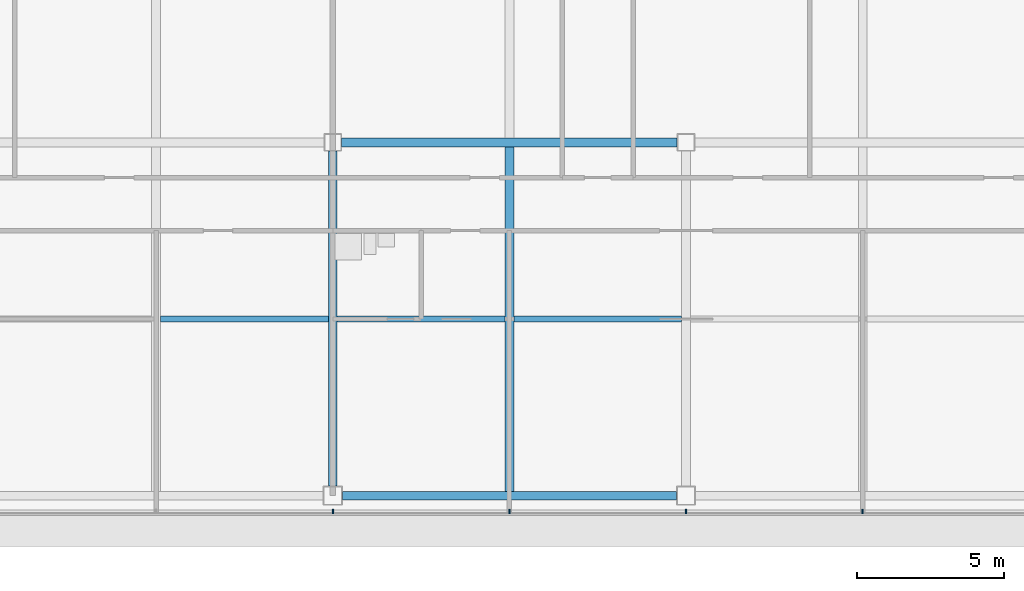
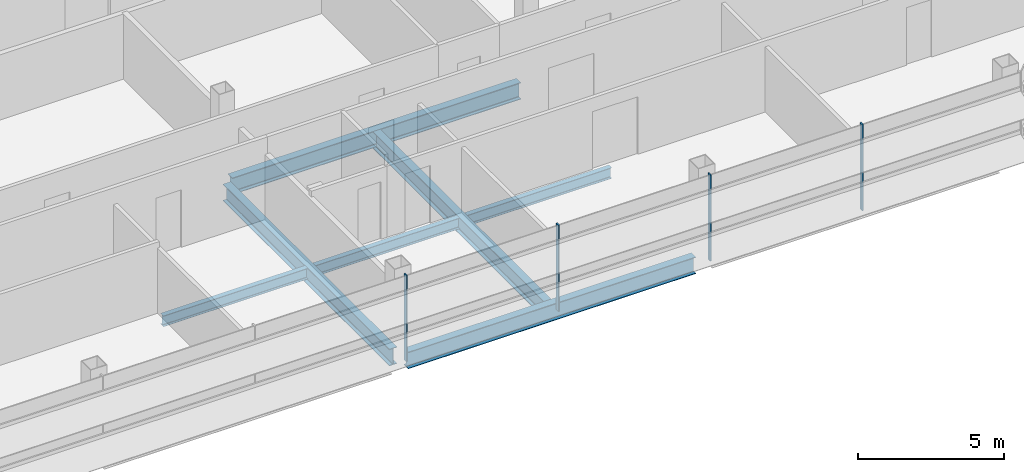
# One storey, part 8 of 26: 7 beams, 4 members, 1 element without a shape of its own.
"""IFC4 building model written with IfcOpenShell, lengths in metres."""

from ifc_helpers import new_model, si_unit, direction, frame, origin, origin_2d, place, context, subcontext, project, spatial, rectangle, i_section, extrude, material, material_profile, profile_set, type_object, element, aggregate, save


model = new_model("IFC4")

# Units and contexts
model_context = context("Model", 3, precision=1e-05, world=origin(), true_north=direction((0.0, 1.0)))
body_context = subcontext(model_context, "Body", "Model", "MODEL_VIEW")
ifc_project = project(units=[si_unit("LENGTHUNIT", "METRE"), si_unit("AREAUNIT", "SQUARE_METRE"), si_unit("VOLUMEUNIT", "CUBIC_METRE"), si_unit("PLANEANGLEUNIT", "RADIAN"), si_unit("MASSUNIT", "GRAM", prefix="KILO")], contexts=[model_context])

# Site, building, storey
site_placement = place(None, origin())
site = spatial("IfcSite", under=ifc_project, at=site_placement, CompositionType="ELEMENT")
building_placement = place(site_placement, origin())
building = spatial("IfcBuilding", under=site, at=building_placement, Name="Sorahane Residences", CompositionType="ELEMENT")
storey_placement = place(building_placement, frame((0.0, 0.0, 215.39990234375)))
storey = spatial("IfcBuildingStorey", under=building, at=storey_placement, Name="L50", CompositionType="ELEMENT", Elevation=215.39990234375)

# Curtain wall, members
ifc_material_1 = material(Name="Dark low-e glass and black anodised aluminium", Category="aluminium")
curtain_wall_type = type_object("IfcCurtainWallType", Name="Curtain wall CW-1 Typical unitised wall", PredefinedType="NOTDEFINED", material=ifc_material_1)
curtain_wall_placement = place(storey_placement, origin())
curtain_wall = element("IfcCurtainWall", 1, at=curtain_wall_placement, inside=storey, type_object=curtain_wall_type, Name="CW-1 curtain wall L50 S1", PredefinedType="NOTDEFINED")
ifc_material_2 = material(Name="Black anodised aluminium", Category="aluminium")
ifc_material_profile_1 = material_profile(ifc_material_2, rectangle(XDim=0.159912109375, YDim=0.050048828125, at=origin_2d()), Name="Curtain wall mullion CW-1 black anodised aluminium 50x160")
ifc_profile_set_1 = profile_set([ifc_material_profile_1], Name="Black anodised aluminium")
member_type = type_object("IfcMemberType", Name="Curtain wall mullion CW-1 black anodised aluminium 50x160", PredefinedType="MULLION", material=ifc_profile_set_1)
member_1_placement = place(storey_placement, frame((24.0, -0.5400390625, -0.179931640625), z_axis=(0.0, 0.0, 1.0), x_axis=(0.0, -1.0, 0.0)))
member_1 = element("IfcMember", 2, at=member_1_placement, type_object=member_type, Name="CW-1 mullion L50 S1.6", PredefinedType="MULLION", context=body_context, shape_type="SweptSolid", body=[
    extrude(rectangle(XDim=0.159912109375, YDim=0.050048828125, at=origin_2d()), origin(), (0.0, 0.0, 1.0), 3.60009765625),
])
member_2_placement = place(storey_placement, frame((30.0, -0.5400390625, -0.179931640625), z_axis=(0.0, 0.0, 1.0), x_axis=(0.0, -1.0, 0.0)))
member_2 = element("IfcMember", 3, at=member_2_placement, type_object=member_type, Name="CW-1 mullion L50 S1.7", PredefinedType="MULLION", context=body_context, shape_type="SweptSolid", body=[
    extrude(rectangle(XDim=0.159912109375, YDim=0.050048828125, at=origin_2d()), origin(), (0.0, 0.0, 1.0), 3.60009765625),
])
member_3_placement = place(storey_placement, frame((36.0, -0.5400390625, -0.179931640625), z_axis=(0.0, 0.0, 1.0), x_axis=(0.0, -1.0, 0.0)))
member_3 = element("IfcMember", 4, at=member_3_placement, type_object=member_type, Name="CW-1 mullion L50 S1.8", PredefinedType="MULLION", context=body_context, shape_type="SweptSolid", body=[
    extrude(rectangle(XDim=0.159912109375, YDim=0.050048828125, at=origin_2d()), origin(), (0.0, 0.0, 1.0), 3.60009765625),
])
member_4_placement = place(storey_placement, frame((42.0, -0.5400390625, -0.179931640625), z_axis=(0.0, 0.0, 1.0), x_axis=(0.0, -1.0, 0.0)))
member_4 = element("IfcMember", 5, at=member_4_placement, type_object=member_type, Name="CW-1 mullion L50 S1.9", PredefinedType="MULLION", context=body_context, shape_type="SweptSolid", body=[
    extrude(rectangle(XDim=0.159912109375, YDim=0.050048828125, at=origin_2d()), origin(), (0.0, 0.0, 1.0), 3.60009765625),
])
aggregate(curtain_wall, [member_1, member_2, member_3, member_4])

# Beams
ifc_material_3 = material(Name="Steel Q355B", Category="steel")
ifc_material_profile_2 = material_profile(ifc_material_3, i_section(OverallWidth=0.199951171875, OverallDepth=0.449951171875, WebThickness=0.009033203125, FlangeThickness=0.013916015625, FilletRadius=0.02001953125, at=origin_2d()), Name="HN 450x200x9x14")
ifc_profile_set_2 = profile_set([ifc_material_profile_2], Name="Steel Q355B")
beam_type_1 = type_object("IfcBeamType", Name="Steel floor beam HN 450x200x9x14 Q355B", PredefinedType="BEAM", material=ifc_profile_set_2)
for number, where, z_axis, x_axis, name in (
    (6, (18.14990234375, 6.0, -0.40478515625), (1.0, 0.0, 0.0), (0.0, 1.0, 0.0), "Beam L50 072"),
    (7, (24.14990234375, 6.0, -0.40478515625), (1.0, 0.0, 0.0), (0.0, 1.0, 0.0), "Beam L50 073"),
    (8, (30.14990234375, 6.0, -0.40478515625), (1.0, 0.0, 0.0), (0.0, 1.0, 0.0), "Beam L50 074"),
):
    element("IfcBeam", number, at=place(storey_placement, frame(where, z_axis=z_axis, x_axis=x_axis)), inside=storey, type_object=beam_type_1, Name=name, PredefinedType="BEAM", context=body_context, shape_type="SweptSolid", body=[
        extrude(i_section(OverallWidth=0.199951171875, OverallDepth=0.449951171875, WebThickness=0.009033203125, FlangeThickness=0.013916015625, FilletRadius=0.02001953125, at=origin_2d()), origin(), (0.0, 0.0, 1.0), 5.7001953125),
    ])
ifc_material_4 = material(Name="Steel Q355B", Category="steel")
ifc_material_profile_3 = material_profile(ifc_material_4, i_section(OverallWidth=0.300048828125, OverallDepth=0.699951171875, WebThickness=0.012939453125, FlangeThickness=0.02392578125, FilletRadius=0.028076171875, at=origin_2d()), Name="HN 700x300x13x24")
ifc_profile_set_3 = profile_set([ifc_material_profile_3], Name="Steel Q355B")
beam_type_2 = type_object("IfcBeamType", Name="Steel floor beam HN 700x300x13x24 Q355B", PredefinedType="BEAM", material=ifc_profile_set_3)
beam_1_placement = place(storey_placement, frame((24.324951171875, 0.0, -0.52978515625), z_axis=(1.0, 0.0, 0.0), x_axis=(0.0, 1.0, 0.0)))
element("IfcBeam", 9, at=beam_1_placement, inside=storey, type_object=beam_type_2, Name="Beam L50 003", PredefinedType="BEAM", context=body_context, shape_type="SweptSolid", body=[
    extrude(i_section(OverallWidth=0.300048828125, OverallDepth=0.699951171875, WebThickness=0.012939453125, FlangeThickness=0.02392578125, FilletRadius=0.028076171875, at=origin_2d()), origin(), (0.0, 0.0, 1.0), 11.35009765625),
])
beam_2_placement = place(storey_placement, frame((24.300048828125, 12.0, -0.52978515625), z_axis=(1.0, 0.0, 0.0), x_axis=(0.0, 1.0, 0.0)))
element("IfcBeam", 10, at=beam_2_placement, inside=storey, type_object=beam_type_2, Name="Beam L50 008", PredefinedType="BEAM", context=body_context, shape_type="SweptSolid", body=[
    extrude(i_section(OverallWidth=0.300048828125, OverallDepth=0.699951171875, WebThickness=0.012939453125, FlangeThickness=0.02392578125, FilletRadius=0.028076171875, at=origin_2d()), origin(), (0.0, 0.0, 1.0), 11.39990234375),
])
beam_3_placement = place(storey_placement, frame((24.0, 0.324951171875, -0.52978515625), z_axis=(0.0, 1.0, 0.0), x_axis=(-1.0, 0.0, 0.0)))
element("IfcBeam", 11, at=beam_3_placement, inside=storey, type_object=beam_type_2, Name="Beam L50 042", PredefinedType="BEAM", context=body_context, shape_type="SweptSolid", body=[
    extrude(i_section(OverallWidth=0.300048828125, OverallDepth=0.699951171875, WebThickness=0.012939453125, FlangeThickness=0.02392578125, FilletRadius=0.028076171875, at=origin_2d()), origin(), (0.0, 0.0, 1.0), 11.375),
])
beam_4_placement = place(storey_placement, frame((30.0, 0.14990234375, -0.52978515625), z_axis=(0.0, 1.0, 0.0), x_axis=(-1.0, 0.0, 0.0)))
element("IfcBeam", 12, at=beam_4_placement, inside=storey, type_object=beam_type_2, Name="Beam L50 044", PredefinedType="BEAM", context=body_context, shape_type="SweptSolid", body=[
    extrude(i_section(OverallWidth=0.300048828125, OverallDepth=0.699951171875, WebThickness=0.012939453125, FlangeThickness=0.02392578125, FilletRadius=0.028076171875, at=origin_2d()), origin(), (0.0, 0.0, 1.0), 11.7001953125),
])

save(model, "model.ifc")
